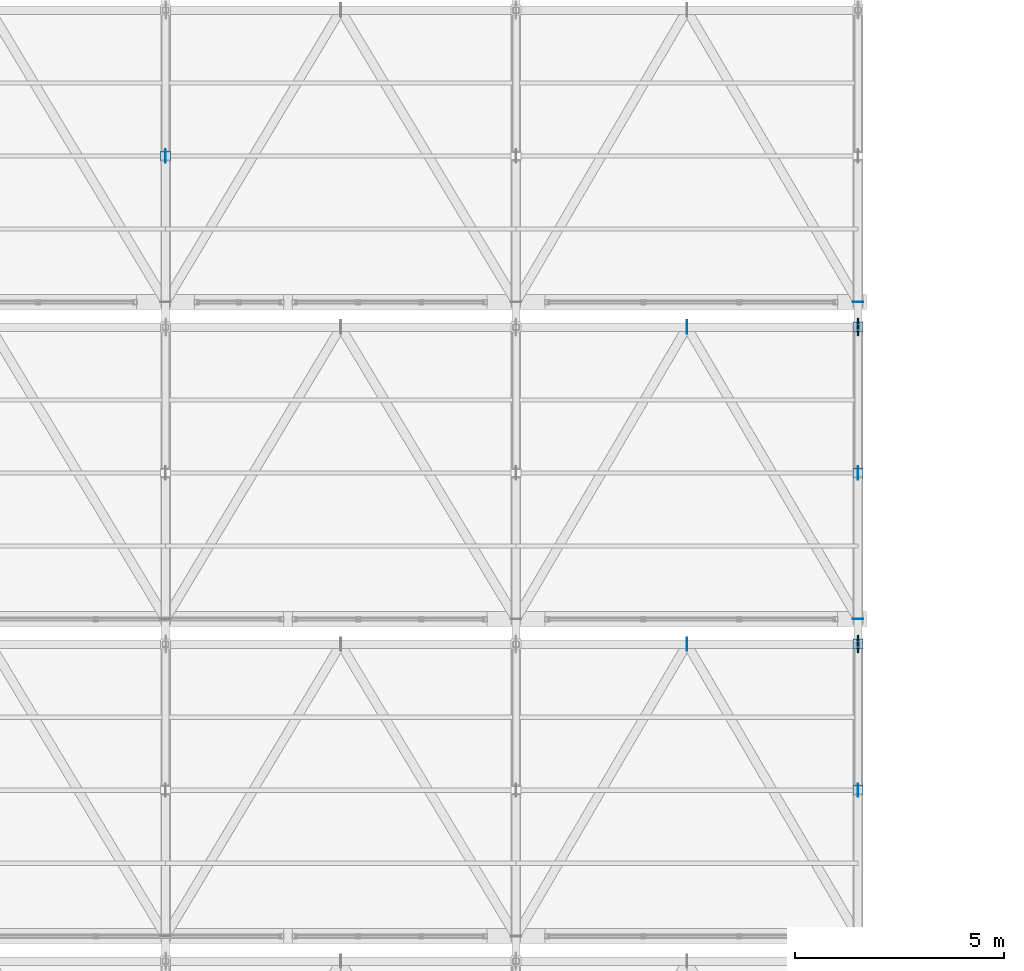
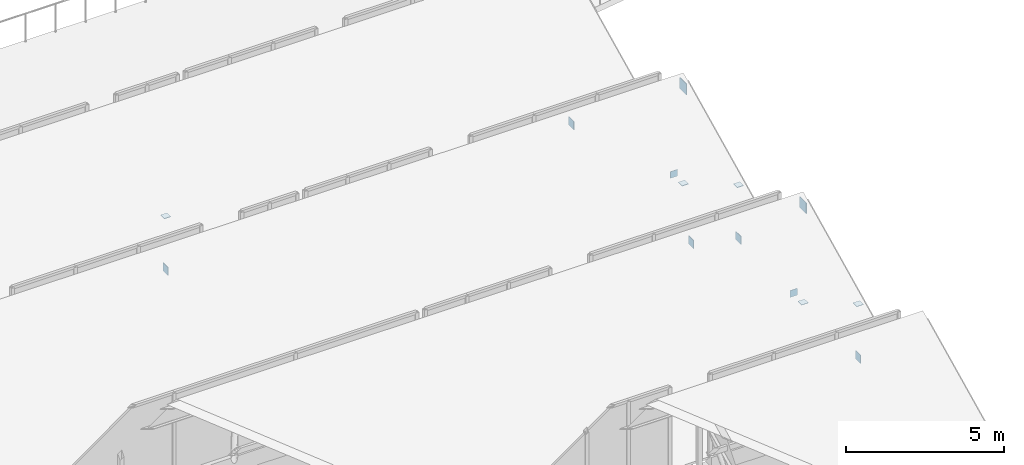
# One storey, part 48 of 57: 14 plates.
"""IFC4 building model written with IfcOpenShell, lengths in metres."""

from ifc_helpers import new_model, si_unit, direction, frame, origin, origin_2d, place, context, subcontext, project, spatial, rectangle, extrude, material, layer, layer_set, type_object, element, save


model = new_model("IFC4")

# Units and contexts
model_context = context("Model", 3, precision=1e-05, world=origin(), true_north=direction((0.0, 1.0)))
body_context = subcontext(model_context, "Body", "Model", "MODEL_VIEW")
ifc_project = project(units=[si_unit("LENGTHUNIT", "METRE"), si_unit("AREAUNIT", "SQUARE_METRE"), si_unit("VOLUMEUNIT", "CUBIC_METRE"), si_unit("PLANEANGLEUNIT", "RADIAN"), si_unit("MASSUNIT", "GRAM", prefix="KILO")], contexts=[model_context])

# Site, building, storey
site_placement = place(None, origin())
site = spatial("IfcSite", under=ifc_project, at=site_placement, CompositionType="ELEMENT")
building_placement = place(site_placement, origin())
building = spatial("IfcBuilding", under=site, at=building_placement, Name="Zuvorla Pavilion Media Centre", CompositionType="ELEMENT")
storey_placement = place(building_placement, frame((0.0, 0.0, 18.0)))
storey = spatial("IfcBuildingStorey", under=building, at=storey_placement, Name="L04", CompositionType="ELEMENT", Elevation=18.0)

# Plates
ifc_material = material(Name="Steel S355", Category="steel")
ifc_layer_1 = layer(ifc_material, 0.01611328125)
ifc_layer_set_1 = layer_set([ifc_layer_1], Name="Steel S355")
plate_type_1 = type_object("IfcPlateType", Name="PLT-CAP-16", PredefinedType="USERDEFINED", material=ifc_layer_set_1)
for number, where, z_axis, x_axis, name in (
    (1, (159.0, 28.800048828125, -1.009765625), (0.0, 0.0, 1.0), (1.0, 0.0, 0.0), "L04 cap plate CP16 138"),
    (2, (159.0, 36.39990234375, -1.009765625), (0.0, 0.0, 1.0), (1.0, 0.0, 0.0), "L04 cap plate CP16 150"),
):
    element("IfcPlate", number, at=place(storey_placement, frame(where, z_axis=z_axis, x_axis=x_axis)), inside=storey, type_object=plate_type_1, Name=name, ObjectType="CAP_PLATE", PredefinedType="USERDEFINED", context=body_context, shape_type="SweptSolid", body=[
        extrude(rectangle(XDim=0.260009765625, YDim=0.01611328125, at=origin_2d()), origin(), (0.0, 0.0, 1.0), 0.260009765625),
    ])
for number, where, z_axis, x_axis, name in (
    (3, (159.0, 28.199951171875, -0.887939453125), (0.0, 0.0, 1.0), (1.0, 0.0, 0.0), "L04 cap plate CP16 453"),
    (4, (159.0, 24.699951171875, 1.171875), (0.0, 0.0, 1.0), (1.0, 0.0, 0.0), "L04 cap plate CP16 455"),
    (5, (159.0, 35.800048828125, -0.887939453125), (0.0, 0.0, 1.0), (1.0, 0.0, 0.0), "L04 cap plate CP16 476"),
    (6, (159.0, 32.300048828125, 1.171875), (0.0, 0.0, 1.0), (1.0, 0.0, 0.0), "L04 cap plate CP16 478"),
    (7, (142.39990234375, 39.89990234375, 1.171875), (0.0, 0.0, 1.0), (1.0, 0.0, 0.0), "L04 cap plate CP16 495"),
):
    element("IfcPlate", number, at=place(storey_placement, frame(where, z_axis=z_axis, x_axis=x_axis)), inside=storey, type_object=plate_type_1, Name=name, ObjectType="CAP_PLATE", PredefinedType="USERDEFINED", context=body_context, shape_type="SweptSolid", body=[
        extrude(rectangle(XDim=0.239990234375, YDim=0.239990234375, at=origin_2d()), origin(), (0.0, 0.0, 1.0), 0.01611328125),
    ])
ifc_layer_2 = layer(ifc_material, 0.02001953125)
ifc_layer_set_2 = layer_set([ifc_layer_2], Name="Steel S355")
plate_type_2 = type_object("IfcPlateType", Name="PLT-GUS-20", PredefinedType="USERDEFINED", material=ifc_layer_set_2)
for number, where, z_axis, x_axis, name in (
    (8, (159.0, 24.699951171875, -1.0400390625), (0.0, 0.0, 1.0), (1.0, 0.0, 0.0), "L04 gusset plate GP20 454"),
    (9, (154.89990234375, 28.199951171875, 2.7197265625), (0.0, 0.0, 1.0), (1.0, 0.0, 0.0), "L04 gusset plate GP20 460"),
    (10, (159.0, 32.300048828125, -1.0400390625), (0.0, 0.0, 1.0), (1.0, 0.0, 0.0), "L04 gusset plate GP20 477"),
    (11, (154.89990234375, 35.800048828125, 2.7197265625), (0.0, 0.0, 1.0), (1.0, 0.0, 0.0), "L04 gusset plate GP20 483"),
    (12, (142.39990234375, 39.89990234375, -1.0400390625), (0.0, 0.0, 1.0), (1.0, 0.0, 0.0), "L04 gusset plate GP20 494"),
):
    element("IfcPlate", number, at=place(storey_placement, frame(where, z_axis=z_axis, x_axis=x_axis)), inside=storey, type_object=plate_type_2, Name=name, ObjectType="GUSSET_PLATE", PredefinedType="USERDEFINED", context=body_context, shape_type="SweptSolid", body=[
        extrude(rectangle(XDim=0.02001953125, YDim=0.320068359375, at=origin_2d()), origin(), (0.0, 0.0, 1.0), 0.320068359375),
    ])
ifc_layer_3 = layer(ifc_material, 0.02490234375)
ifc_layer_set_3 = layer_set([ifc_layer_3], Name="Steel S355")
plate_type_3 = type_object("IfcPlateType", Name="PLT-GUS-25", PredefinedType="USERDEFINED", material=ifc_layer_set_3)
for number, where, z_axis, x_axis, name in (
    (13, (159.0, 28.199951171875, 2.672119140625), (0.0, 0.0, 1.0), (1.0, 0.0, 0.0), "L04 gusset plate GP25 125"),
    (14, (159.0, 35.800048828125, 2.672119140625), (0.0, 0.0, 1.0), (1.0, 0.0, 0.0), "L04 gusset plate GP25 137"),
):
    element("IfcPlate", number, at=place(storey_placement, frame(where, z_axis=z_axis, x_axis=x_axis)), inside=storey, type_object=plate_type_3, Name=name, ObjectType="GUSSET_PLATE", PredefinedType="USERDEFINED", context=body_context, shape_type="SweptSolid", body=[
        extrude(rectangle(XDim=0.02490234375, YDim=0.419921875, at=origin_2d()), origin(), (0.0, 0.0, 1.0), 0.419921875),
    ])

save(model, "model.ifc")
